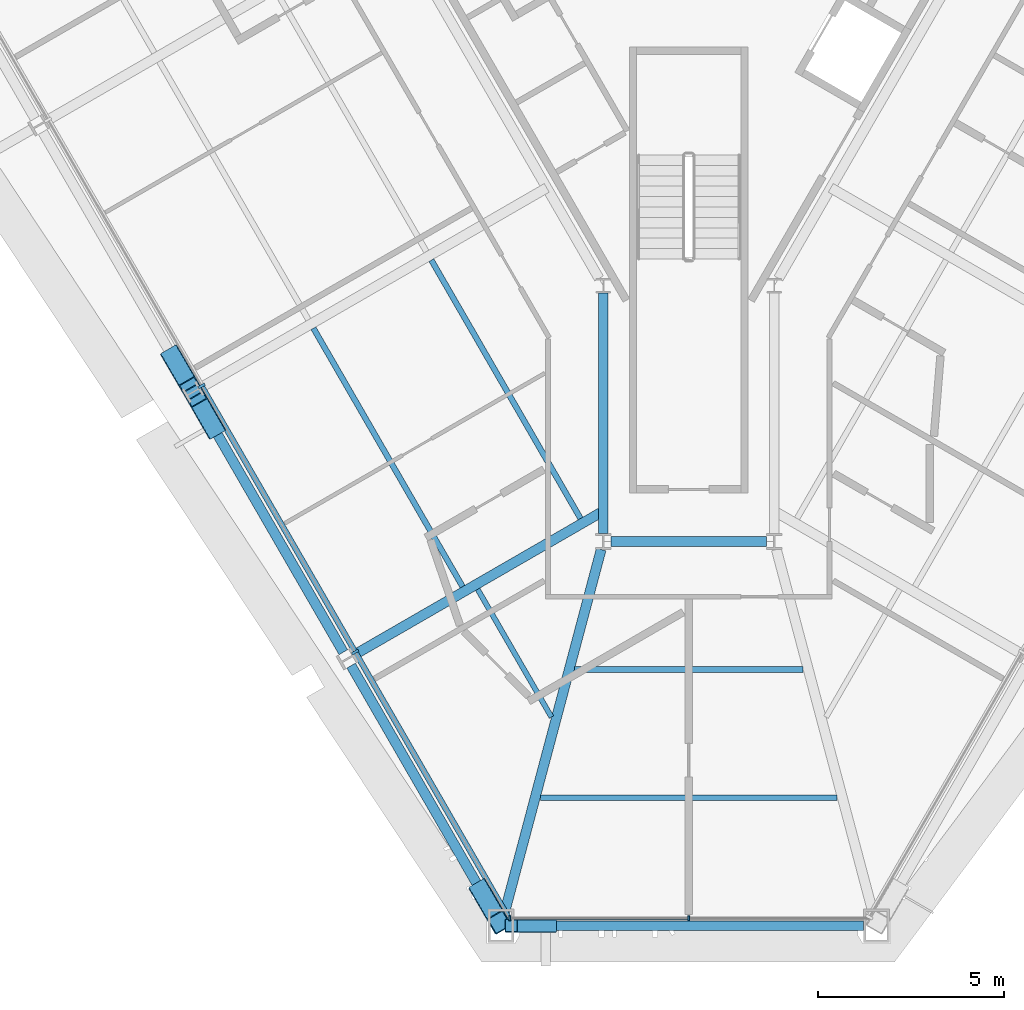
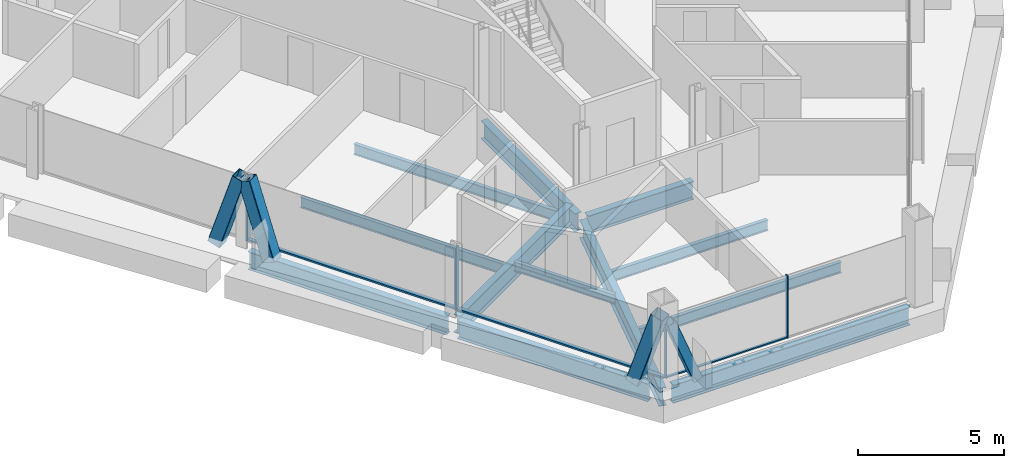
# One storey, part 3 of 17: 12 beams, 11 members, 2 elements without a shape of their own.
"""IFC4 building model written with IfcOpenShell, lengths in metres."""

from ifc_helpers import new_model, si_unit, direction, frame, origin, origin_2d, place, context, subcontext, project, spatial, rectangle, hollow_rectangle, i_section, extrude, material, material_profile, profile_set, type_object, element, aggregate, save


model = new_model("IFC4")

# Units and contexts
model_context = context("Model", 3, precision=1e-05, world=origin(), true_north=direction((0.0, 1.0)))
body_context = subcontext(model_context, "Body", "Model", "MODEL_VIEW")
ifc_project = project(units=[si_unit("LENGTHUNIT", "METRE"), si_unit("AREAUNIT", "SQUARE_METRE"), si_unit("VOLUMEUNIT", "CUBIC_METRE"), si_unit("PLANEANGLEUNIT", "RADIAN"), si_unit("MASSUNIT", "GRAM", prefix="KILO")], contexts=[model_context])

# Site, building, storey
site_placement = place(None, origin())
site = spatial("IfcSite", under=ifc_project, at=site_placement, CompositionType="ELEMENT")
building_placement = place(site_placement, origin())
building = spatial("IfcBuilding", under=site, at=building_placement, Name="Verrane Prism Tower", CompositionType="ELEMENT")
storey_placement = place(building_placement, frame((0.0, 0.0, 139.60009765625)))
storey = spatial("IfcBuildingStorey", under=building, at=storey_placement, Name="L34", CompositionType="ELEMENT", Elevation=139.60009765625)

# Member
ifc_material_1 = material(Name="Steel A500 Grade C", Category="steel")
ifc_material_profile_1 = material_profile(ifc_material_1, hollow_rectangle(XDim=0.355712890625, YDim=0.355712890625, WallThickness=0.0126953125, InnerFilletRadius=0.00634765625, OuterFilletRadius=0.01904296875, at=origin_2d()), Name="HSS14x14x1/2")
ifc_profile_set_1 = profile_set([ifc_material_profile_1], Name="Steel A500 Grade C")
member_type_1 = type_object("IfcMemberType", Name="Chamfer brace HSS14x14x1/2", PredefinedType="BRACE", material=ifc_profile_set_1)
member_1_placement = place(storey_placement, frame((-3.7236328125, -31.639892578125, -0.2451171875), z_axis=(-0.363483808141, 0.0, 0.931600515897), x_axis=(0.0, -1.0, 0.0)))
element("IfcMember", 1, at=member_1_placement, inside=storey, type_object=member_type_1, Name="Chamfer brace S0 L34", PredefinedType="BRACE", context=body_context, shape_type="SweptSolid", body=[
    extrude(hollow_rectangle(XDim=0.355712890625, YDim=0.355712890625, WallThickness=0.0126953125, InnerFilletRadius=0.00634765625, OuterFilletRadius=0.01904296875, at=origin_2d()), origin(), (0.0, 0.0, 1.0), 2.90625),
])

# Beams
ifc_material_2 = material(Name="Steel A992", Category="steel")
ifc_material_profile_2 = material_profile(ifc_material_2, i_section(OverallWidth=0.2666015625, OverallDepth=0.76708984375, WebThickness=0.014892578125, FlangeThickness=0.023681640625, FilletRadius=0.0166015625, at=origin_2d()), Name="W30x124")
ifc_profile_set_2 = profile_set([ifc_material_profile_2], Name="Steel A992")
beam_type_1 = type_object("IfcBeamType", Name="Chamfer spandrel beam W30x124", PredefinedType="SPANDREL", material=ifc_profile_set_2)
beam_1_placement = place(storey_placement, frame((-4.699951171875, -31.639892578125, -0.543701171875), z_axis=(1.0, 0.0, 0.0), x_axis=(0.0, 1.0, 0.0)))
element("IfcBeam", 2, at=beam_1_placement, inside=storey, type_object=beam_type_1, Name="Chamfer spandrel beam L34", PredefinedType="SPANDREL", context=body_context, shape_type="SweptSolid", body=[
    extrude(i_section(OverallWidth=0.2666015625, OverallDepth=0.76708984375, WebThickness=0.014892578125, FlangeThickness=0.023681640625, FilletRadius=0.0166015625, at=origin_2d()), origin(), (0.0, 0.0, 1.0), 9.39990234375),
])
ifc_material_3 = material(Name="Steel A992", Category="steel")
ifc_material_profile_3 = material_profile(ifc_material_3, i_section(OverallWidth=0.2666015625, OverallDepth=0.7568359375, WebThickness=0.013916015625, FlangeThickness=0.019287109375, FilletRadius=0.0166015625, at=origin_2d()), Name="W30x108")
ifc_profile_set_3 = profile_set([ifc_material_profile_3], Name="Steel A992")
beam_type_2 = type_object("IfcBeamType", Name="Core ring girder W30x108", PredefinedType="BEAM", material=ifc_profile_set_3)
beam_2_placement = place(storey_placement, frame((-2.300048828125, -14.619384765625, -0.628662109375), z_axis=(0.0, -1.0, 0.0), x_axis=(1.0, 0.0, 0.0)))
element("IfcBeam", 3, at=beam_2_placement, inside=storey, type_object=beam_type_2, Name="Core ring girder L34", PredefinedType="BEAM", context=body_context, shape_type="SweptSolid", body=[
    extrude(i_section(OverallWidth=0.2666015625, OverallDepth=0.7568359375, WebThickness=0.013916015625, FlangeThickness=0.019287109375, FilletRadius=0.0166015625, at=origin_2d()), origin(), (0.0, 0.0, 1.0), 6.46337890625),
])
beam_3_placement = place(storey_placement, frame((-2.09423828125, -21.300048828125, -0.628662109375), z_axis=(1.0, 0.0, 0.0), x_axis=(0.0, 1.0, 0.0)))
element("IfcBeam", 4, at=beam_3_placement, inside=storey, type_object=beam_type_2, Name="Core ring girder L34", PredefinedType="BEAM", context=body_context, shape_type="SweptSolid", body=[
    extrude(i_section(OverallWidth=0.2666015625, OverallDepth=0.7568359375, WebThickness=0.013916015625, FlangeThickness=0.019287109375, FilletRadius=0.0166015625, at=origin_2d()), origin(), (0.0, 0.0, 1.0), 4.1884765625),
])
ifc_material_4 = material(Name="Steel A992", Category="steel")
ifc_material_profile_4 = material_profile(ifc_material_4, i_section(OverallWidth=0.2666015625, OverallDepth=0.76708984375, WebThickness=0.014892578125, FlangeThickness=0.023681640625, FilletRadius=0.0166015625, at=origin_2d()), Name="W30x124")
ifc_profile_set_4 = profile_set([ifc_material_profile_4], Name="Steel A992")
beam_type_3 = type_object("IfcBeamType", Name="Corner girder W30x124", PredefinedType="BEAM", material=ifc_profile_set_4)
beam_4_placement = place(storey_placement, frame((-5.048828125, -31.635498046875, -0.603515625), z_axis=(0.257009497998, 0.966408877204, 0.0), x_axis=(-0.966408877204, 0.257009497998, 0.0)))
element("IfcBeam", 5, at=beam_4_placement, inside=storey, type_object=beam_type_3, Name="Corner girder L34", PredefinedType="BEAM", context=body_context, shape_type="SweptSolid", body=[
    extrude(i_section(OverallWidth=0.2666015625, OverallDepth=0.76708984375, WebThickness=0.014892578125, FlangeThickness=0.023681640625, FilletRadius=0.0166015625, at=origin_2d()), origin(), (0.0, 0.0, 1.0), 10.47021484375),
])

# Members
ifc_material_5 = material(Name="Steel A1085 Grade A", Category="steel")
ifc_material_profile_5 = material_profile(ifc_material_5, hollow_rectangle(XDim=0.508056640625, YDim=0.508056640625, WallThickness=0.025390625, InnerFilletRadius=0.0126953125, OuterFilletRadius=0.0380859375, at=origin_2d()), Name="HSS20x20x1")
ifc_profile_set_5 = profile_set([ifc_material_profile_5], Name="Steel A1085 Grade A")
member_type_2 = type_object("IfcMemberType", Name="Facade brace HSS20x20x1", PredefinedType="BRACE", material=ifc_profile_set_5)
member_2_placement = place(storey_placement, frame((-13.885498046875, -16.336181640625, -0.24267578125), z_axis=(0.153191260011, -0.26347987125, 0.952423642767), x_axis=(0.864499647016, 0.50263342538, 0.0)))
element("IfcMember", 6, at=member_2_placement, inside=storey, type_object=member_type_2, Name="Facade brace SW3 L34", PredefinedType="BRACE", context=body_context, shape_type="SweptSolid", body=[
    extrude(hollow_rectangle(XDim=0.508056640625, YDim=0.508056640625, WallThickness=0.025390625, InnerFilletRadius=0.0126953125, OuterFilletRadius=0.0380859375, at=origin_2d()), origin(), (0.0, 0.0, 1.0), 3.220947265625),
])
member_3_placement = place(storey_placement, frame((-12.794921875, -18.223388671875, -0.24267578125), z_axis=(-0.152439385191, 0.265480917351, 0.951988506425), x_axis=(-0.867205599287, -0.497950247079, 0.0)))
element("IfcMember", 7, at=member_3_placement, inside=storey, type_object=member_type_2, Name="Facade brace SW4 L34", PredefinedType="BRACE", context=body_context, shape_type="SweptSolid", body=[
    extrude(hollow_rectangle(XDim=0.508056640625, YDim=0.508056640625, WallThickness=0.025390625, InnerFilletRadius=0.0126953125, OuterFilletRadius=0.0380859375, at=origin_2d()), origin(), (0.0, 0.0, 1.0), 3.222412109375),
])
member_4_placement = place(storey_placement, frame((-5.593994140625, -30.696533203125, -0.24267578125), z_axis=(0.153317843434, -0.263967399248, 0.952268266309), x_axis=(0.864722862712, 0.502249311302, 0.0)))
element("IfcMember", 8, at=member_4_placement, inside=storey, type_object=member_type_2, Name="Facade brace SW5 L34", PredefinedType="BRACE", context=body_context, shape_type="SweptSolid", body=[
    extrude(hollow_rectangle(XDim=0.508056640625, YDim=0.508056640625, WallThickness=0.025390625, InnerFilletRadius=0.0126953125, OuterFilletRadius=0.0380859375, at=origin_2d()), origin(), (0.0, 0.0, 1.0), 3.221435546875),
])

# Beams
ifc_material_6 = material(Name="Steel A992", Category="steel")
ifc_material_profile_6 = material_profile(ifc_material_6, i_section(OverallWidth=0.140380859375, OverallDepth=0.40380859375, WebThickness=0.007080078125, FlangeThickness=0.01123046875, FilletRadius=0.01025390625, at=origin_2d()), Name="W16x31")
ifc_profile_set_6 = profile_set([ifc_material_profile_6], Name="Steel A992")
beam_type_4 = type_object("IfcBeamType", Name="Floor beam W16x31", PredefinedType="BEAM", material=ifc_profile_set_6)
beam_5_placement = place(storey_placement, frame((-3.69482421875, -26.025390625, -0.362060546875), z_axis=(-0.500073727646, 0.865982832923, 0.0), x_axis=(-0.865982832923, -0.500073727646, 0.0)))
element("IfcBeam", 9, at=beam_5_placement, inside=storey, type_object=beam_type_4, Name="Floor beam L34", PredefinedType="BEAM", context=body_context, shape_type="SweptSolid", body=[
    extrude(i_section(OverallWidth=0.140380859375, OverallDepth=0.40380859375, WebThickness=0.007080078125, FlangeThickness=0.01123046875, FilletRadius=0.01025390625, at=origin_2d()), origin(), (0.0, 0.0, 1.0), 3.970703125),
])
ifc_material_7 = material(Name="Steel A992", Category="steel")
ifc_material_profile_7 = material_profile(ifc_material_7, i_section(OverallWidth=0.15234375, OverallDepth=0.449462890625, WebThickness=0.007568359375, FlangeThickness=0.0107421875, FilletRadius=0.01025390625, at=origin_2d()), Name="W18x35")
ifc_profile_set_7 = profile_set([ifc_material_profile_7], Name="Steel A992")
beam_type_5 = type_object("IfcBeamType", Name="Floor beam W18x35", PredefinedType="BEAM", material=ifc_profile_set_7)
beam_6_placement = place(storey_placement, frame((-2.913330078125, -20.68017578125, -0.385009765625), z_axis=(-0.499992771462, 0.866029577143, 0.0), x_axis=(-0.866029577143, -0.499992771462, 0.0)))
element("IfcBeam", 10, at=beam_6_placement, inside=storey, type_object=beam_type_5, Name="Floor beam L34", PredefinedType="BEAM", context=body_context, shape_type="SweptSolid", body=[
    extrude(i_section(OverallWidth=0.15234375, OverallDepth=0.449462890625, WebThickness=0.007568359375, FlangeThickness=0.0107421875, FilletRadius=0.01025390625, at=origin_2d()), origin(), (0.0, 0.0, 1.0), 8.0263671875),
])
beam_7_placement = place(storey_placement, frame((-6.0869140625, -22.51318359375, -0.385009765625), z_axis=(-0.499983128917, 0.86603514409, 0.0), x_axis=(-0.86603514409, -0.499983128917, 0.0)))
element("IfcBeam", 11, at=beam_7_placement, inside=storey, type_object=beam_type_5, Name="Floor beam L34", PredefinedType="BEAM", context=body_context, shape_type="SweptSolid", body=[
    extrude(i_section(OverallWidth=0.15234375, OverallDepth=0.449462890625, WebThickness=0.007568359375, FlangeThickness=0.0107421875, FilletRadius=0.01025390625, at=origin_2d()), origin(), (0.0, 0.0, 1.0), 8.026123046875),
])
beam_8_placement = place(storey_placement, frame((-3.9951171875, -28.193359375, -0.385009765625), z_axis=(1.0, 0.0, 0.0), x_axis=(0.0, 1.0, 0.0)))
element("IfcBeam", 12, at=beam_8_placement, inside=storey, type_object=beam_type_5, Name="Floor beam L34", PredefinedType="BEAM", context=body_context, shape_type="SweptSolid", body=[
    extrude(i_section(OverallWidth=0.15234375, OverallDepth=0.449462890625, WebThickness=0.007568359375, FlangeThickness=0.0107421875, FilletRadius=0.01025390625, at=origin_2d()), origin(), (0.0, 0.0, 1.0), 7.990234375),
])
beam_9_placement = place(storey_placement, frame((-3.07861328125, -24.74658203125, -0.385009765625), z_axis=(1.0, 0.0, 0.0), x_axis=(0.0, 1.0, 0.0)))
element("IfcBeam", 13, at=beam_9_placement, inside=storey, type_object=beam_type_5, Name="Floor beam L34", PredefinedType="BEAM", context=body_context, shape_type="SweptSolid", body=[
    extrude(i_section(OverallWidth=0.15234375, OverallDepth=0.449462890625, WebThickness=0.007568359375, FlangeThickness=0.0107421875, FilletRadius=0.01025390625, at=origin_2d()), origin(), (0.0, 0.0, 1.0), 6.1572265625),
])

# Curtain wall, members
ifc_material_8 = material(Name="Aluminium framed insulated glazing", Category="aluminium")
curtain_wall_type_1 = type_object("IfcCurtainWallType", Name="Curtain wall CW-C 4200 module", PredefinedType="NOTDEFINED", material=ifc_material_8)
curtain_wall_1_placement = place(storey_placement, origin())
curtain_wall_1 = element("IfcCurtainWall", 14, at=curtain_wall_1_placement, inside=storey, type_object=curtain_wall_type_1, Name="Glazed curtain wall south corner L34", PredefinedType="NOTDEFINED")
ifc_material_9 = material(Name="Aluminium alloy 6063-T6", Category="aluminium")
ifc_material_profile_8 = material_profile(ifc_material_9, rectangle(XDim=0.139892578125, YDim=0.050048828125, at=origin_2d()), Name="Mullion 50x140 aluminium")
ifc_profile_set_8 = profile_set([ifc_material_profile_8], Name="Aluminium alloy 6063-T6")
member_type_3 = type_object("IfcMemberType", Name="Mullion 50x140 aluminium", PredefinedType="MULLION", material=ifc_profile_set_8)
member_5_placement = place(storey_placement, frame((-4.81689453125, -31.435546875, 0.0), z_axis=(0.0, 0.0, 1.0), x_axis=(0.0, 1.0, 0.0)))
member_5 = element("IfcMember", 15, at=member_5_placement, type_object=member_type_3, Name="CW32.5 mullion 1", PredefinedType="MULLION", context=body_context, shape_type="SweptSolid", body=[
    extrude(rectangle(XDim=0.139892578125, YDim=0.050048828125, at=origin_2d()), origin(), (0.0, 0.0, 1.0), 2.61279296875),
])
member_6_placement = place(storey_placement, frame((0.0, -31.435546875, 0.0), z_axis=(0.0, 0.0, 1.0), x_axis=(0.0, 1.0, 0.0)))
member_6 = element("IfcMember", 16, at=member_6_placement, type_object=member_type_3, Name="CW32.5 mullion 2", PredefinedType="MULLION", context=body_context, shape_type="SweptSolid", body=[
    extrude(rectangle(XDim=0.139892578125, YDim=0.050048828125, at=origin_2d()), origin(), (0.0, 0.0, 1.0), 2.61279296875),
])

ifc_material_10 = material(Name="Aluminium framed insulated glazing", Category="aluminium")
curtain_wall_type_2 = type_object("IfcCurtainWallType", Name="Curtain wall CW-A 8400 module", PredefinedType="NOTDEFINED", material=ifc_material_10)
curtain_wall_2_placement = place(storey_placement, origin())
curtain_wall_2 = element("IfcCurtainWall", 17, at=curtain_wall_2_placement, inside=storey, type_object=curtain_wall_type_2, Name="Glazed curtain wall south-west face L34", PredefinedType="NOTDEFINED")
ifc_material_11 = material(Name="Aluminium alloy 6063-T6", Category="aluminium")
ifc_material_profile_9 = material_profile(ifc_material_11, rectangle(XDim=0.199951171875, YDim=0.070068359375, at=origin_2d()), Name="Mullion 70x200 aluminium")
ifc_profile_set_9 = profile_set([ifc_material_profile_9], Name="Aluminium alloy 6063-T6")
member_type_4 = type_object("IfcMemberType", Name="Mullion 70x200 aluminium", PredefinedType="MULLION", material=ifc_profile_set_9)
member_7_placement = place(storey_placement, frame((-13.109619140625, -17.115478515625, 0.0), z_axis=(0.0, 0.0, 1.0), x_axis=(0.866025120648, 0.500000490406, 0.0)))
member_7 = element("IfcMember", 18, at=member_7_placement, type_object=member_type_4, Name="CW32.4 mullion 5", PredefinedType="MULLION", context=body_context, shape_type="SweptSolid", body=[
    extrude(rectangle(XDim=0.199951171875, YDim=0.070068359375, at=origin_2d()), origin(), (0.0, 0.0, 1.0), 2.61279296875),
])
member_8_placement = place(storey_placement, frame((-8.975830078125, -24.275390625, 0.0), z_axis=(0.0, 0.0, 1.0), x_axis=(0.866025120648, 0.500000490406, 0.0)))
member_8 = element("IfcMember", 19, at=member_8_placement, type_object=member_type_4, Name="CW32.4 mullion 6", PredefinedType="MULLION", context=body_context, shape_type="SweptSolid", body=[
    extrude(rectangle(XDim=0.199951171875, YDim=0.070068359375, at=origin_2d()), origin(), (0.0, 0.0, 1.0), 2.61279296875),
])

# Beams
ifc_material_12 = material(Name="Steel A992", Category="steel")
ifc_material_profile_10 = material_profile(ifc_material_12, i_section(OverallWidth=0.2666015625, OverallDepth=0.76708984375, WebThickness=0.014892578125, FlangeThickness=0.023681640625, FilletRadius=0.0166015625, at=origin_2d()), Name="W30x124")
ifc_profile_set_10 = profile_set([ifc_material_profile_10], Name="Steel A992")
beam_type_6 = type_object("IfcBeamType", Name="Radial girder W30x124", PredefinedType="BEAM", material=ifc_profile_set_10)
beam_10_placement = place(storey_placement, frame((-8.9931640625, -24.34619140625, -0.603515625), z_axis=(0.866039870605, 0.499974941895, 0.0), x_axis=(-0.499974941895, 0.866039870605, 0.0)))
element("IfcBeam", 20, at=beam_10_placement, inside=storey, type_object=beam_type_6, Name="Radial girder L34", PredefinedType="BEAM", context=body_context, shape_type="SweptSolid", body=[
    extrude(i_section(OverallWidth=0.2666015625, OverallDepth=0.76708984375, WebThickness=0.014892578125, FlangeThickness=0.023681640625, FilletRadius=0.0166015625, at=origin_2d()), origin(), (0.0, 0.0, 1.0), 7.728515625),
])
ifc_material_13 = material(Name="Steel A992", Category="steel")
ifc_material_profile_11 = material_profile(ifc_material_13, i_section(OverallWidth=0.2666015625, OverallDepth=0.7568359375, WebThickness=0.013916015625, FlangeThickness=0.019287109375, FilletRadius=0.0166015625, at=origin_2d()), Name="W30x108")
ifc_profile_set_11 = profile_set([ifc_material_profile_11], Name="Steel A992")
beam_type_7 = type_object("IfcBeamType", Name="Spandrel beam W30x108", PredefinedType="SPANDREL", material=ifc_profile_set_11)
beam_11_placement = place(storey_placement, frame((-13.235107421875, -17.46142578125, -0.53857421875), z_axis=(0.500410353056, -0.865788356675, 0.0), x_axis=(0.865788356675, 0.500410353056, 0.0)))
element("IfcBeam", 21, at=beam_11_placement, inside=storey, type_object=beam_type_7, Name="Spandrel beam L34", PredefinedType="SPANDREL", context=body_context, shape_type="SweptSolid", body=[
    extrude(i_section(OverallWidth=0.2666015625, OverallDepth=0.7568359375, WebThickness=0.013916015625, FlangeThickness=0.019287109375, FilletRadius=0.0166015625, at=origin_2d()), origin(), (0.0, 0.0, 1.0), 7.8740234375),
])
beam_12_placement = place(storey_placement, frame((-9.085205078125, -24.6416015625, -0.53857421875), z_axis=(0.499498748006, -0.866314608408, 0.0), x_axis=(0.866314608408, 0.499498748006, 0.0)))
element("IfcBeam", 22, at=beam_12_placement, inside=storey, type_object=beam_type_7, Name="Spandrel beam L34", PredefinedType="SPANDREL", context=body_context, shape_type="SweptSolid", body=[
    extrude(i_section(OverallWidth=0.2666015625, OverallDepth=0.7568359375, WebThickness=0.013916015625, FlangeThickness=0.019287109375, FilletRadius=0.0166015625, at=origin_2d()), origin(), (0.0, 0.0, 1.0), 7.558837890625),
])

# Member
ifc_material_14 = material(Name="Aluminium alloy 6063-T6", Category="aluminium")
ifc_material_profile_12 = material_profile(ifc_material_14, rectangle(XDim=0.10009765625, YDim=0.050048828125, at=origin_2d()), Name="Transom 50x100 aluminium")
ifc_profile_set_12 = profile_set([ifc_material_profile_12], Name="Aluminium alloy 6063-T6")
member_type_5 = type_object("IfcMemberType", Name="Transom 50x100 aluminium", PredefinedType="USERDEFINED", material=ifc_profile_set_12)
member_9_placement = place(storey_placement, frame((-4.7919921875, -31.435546875, 0.02490234375), z_axis=(1.0, 0.0, 0.0), x_axis=(0.0, 1.0, 0.0)))
member_9 = element("IfcMember", 23, at=member_9_placement, type_object=member_type_5, Name="CW32.5 transom 1", ObjectType="TRANSOM", PredefinedType="USERDEFINED", context=body_context, shape_type="SweptSolid", body=[
    extrude(rectangle(XDim=0.10009765625, YDim=0.050048828125, at=origin_2d()), origin(), (0.0, 0.0, 1.0), 4.76708984375),
])

aggregate(curtain_wall_1, [member_5, member_6, member_9])

ifc_material_15 = material(Name="Aluminium alloy 6063-T6", Category="aluminium")
ifc_material_profile_13 = material_profile(ifc_material_15, rectangle(XDim=0.14990234375, YDim=0.070068359375, at=origin_2d()), Name="Transom 70x150 aluminium")
ifc_profile_set_13 = profile_set([ifc_material_profile_13], Name="Aluminium alloy 6063-T6")
member_type_6 = type_object("IfcMemberType", Name="Transom 70x150 aluminium", PredefinedType="USERDEFINED", material=ifc_profile_set_13)
member_10_placement = place(storey_placement, frame((-13.092041015625, -17.145751953125, 0.034912109375), z_axis=(0.500005171338, -0.866022418091, 0.0), x_axis=(0.866022418091, 0.500005171338, 0.0)))
member_10 = element("IfcMember", 24, at=member_10_placement, type_object=member_type_6, Name="CW32.4 transom 5", ObjectType="TRANSOM", PredefinedType="USERDEFINED", context=body_context, shape_type="SweptSolid", body=[
    extrude(rectangle(XDim=0.14990234375, YDim=0.070068359375, at=origin_2d()), origin(), (0.0, 0.0, 1.0), 8.19775390625),
])

member_11_placement = place(storey_placement, frame((-8.958251953125, -24.305908203125, 0.034912109375), z_axis=(0.500014236345, -0.866017184271, 0.0), x_axis=(0.866017184271, 0.500014236345, 0.0)))
member_11 = element("IfcMember", 25, at=member_11_placement, type_object=member_type_6, Name="CW32.4 transom 6", ObjectType="TRANSOM", PredefinedType="USERDEFINED", context=body_context, shape_type="SweptSolid", body=[
    extrude(rectangle(XDim=0.14990234375, YDim=0.070068359375, at=origin_2d()), origin(), (0.0, 0.0, 1.0), 8.232666015625),
])

aggregate(curtain_wall_2, [member_7, member_8, member_10, member_11])

save(model, "model.ifc")
